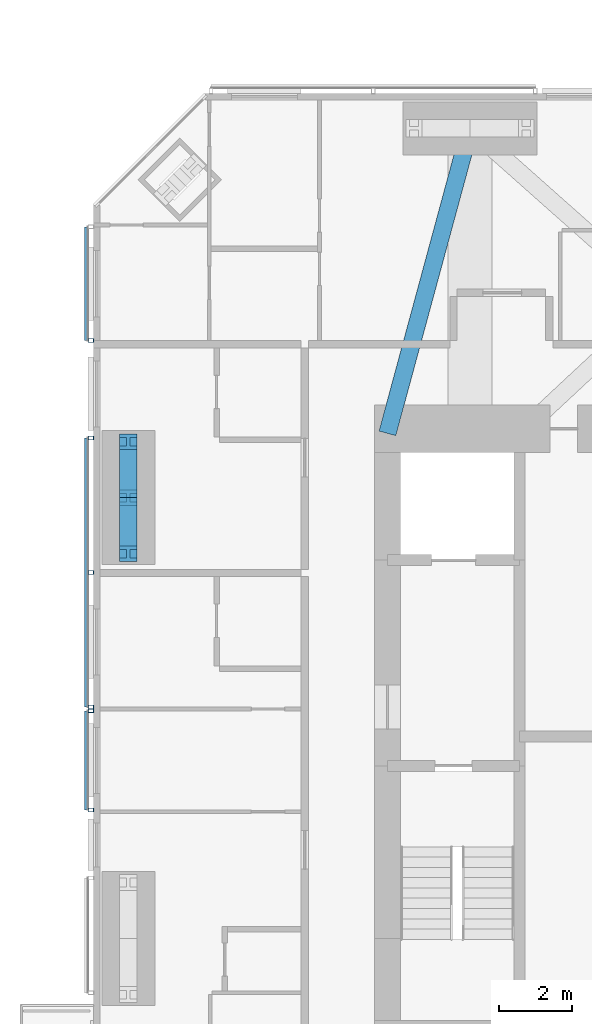
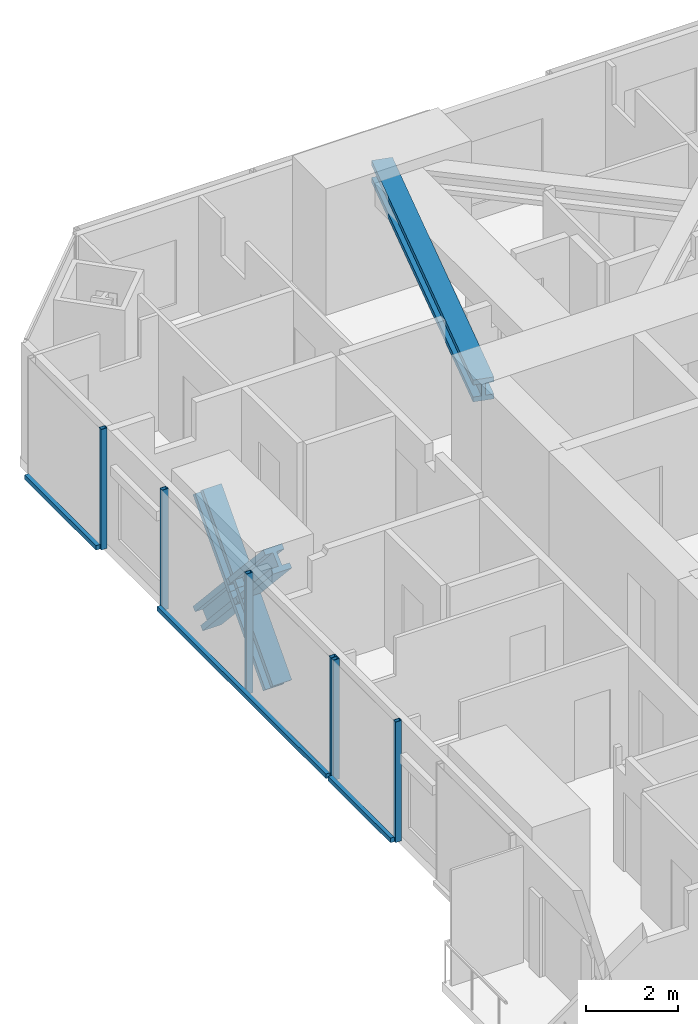
# One storey, part 7 of 22: 14 members, 3 elements without a shape of their own.
"""IFC4 building model written with IfcOpenShell, lengths in metres."""

import ifcopenshell
import ifcopenshell.guid

model = None  # the IFC model being written
_history = None  # IfcOwnerHistory: only IFC2X3 demands one
_inside = {}  # id of a spatial element -> (the spatial element, [elements in it])
_under = {}  # id of a project, library or spatial element -> (it, [spatial elements below it])
_declared = {}  # id of a project -> (the project, [libraries it declares])
_typed = {}  # id of a type object -> (the type object, [elements of that type])
_made_of = {}  # id of a material, layer set ... -> (it, [elements and type objects made of it])


def new_model(schema):
    """Start an empty IFC model of exactly this schema.

    Asked for "IFC4X3", IfcOpenShell would pick the latest addendum, in which some entities
    have other attributes; the version numbers below select the first issue.
    IFC2X3 requires an IfcOwnerHistory on every rooted entity: one is made here for all.
    """
    global model, _history
    if schema == "IFC4X3":
        model = ifcopenshell.file(schema_version=(4, 3, 0, 0))
    else:
        model = ifcopenshell.file(schema=schema)
    _inside.clear()
    _under.clear()
    _declared.clear()
    _typed.clear()
    _made_of.clear()
    _history = None
    if model.schema == "IFC2X3":
        org = make("IfcOrganization", Name="unknown")
        user = make(
            "IfcPersonAndOrganization",
            ThePerson=make("IfcPerson", FamilyName="unknown"),
            TheOrganization=org,
        )
        app = make(
            "IfcApplication",
            ApplicationDeveloper=org,
            Version="unknown",
            ApplicationFullName="unknown",
            ApplicationIdentifier="unknown",
        )
        _history = make(
            "IfcOwnerHistory",
            OwningUser=user,
            OwningApplication=app,
            ChangeAction="ADDED",
            CreationDate=0,
        )
    return model


def make(cls, **values):
    """One entity of the class cls with the attributes given. An attribute that is None is left unset."""
    return model.create_entity(
        cls, **{name: value for name, value in values.items() if value is not None}
    )


def rooted(cls, **values):
    """An entity with a GlobalId (a new one), such as an element, a storey or a relation."""
    return make(cls, GlobalId=ifcopenshell.guid.new(), OwnerHistory=_history, **values)


def si_unit(unit_type, name, prefix=None):
    """IfcSIUnit, for example si_unit("LENGTHUNIT", "METRE", prefix="MILLI")."""
    return make("IfcSIUnit", UnitType=unit_type, Prefix=prefix, Name=name)


def assignment(units):
    """IfcUnitAssignment: the units of a project."""
    return None if units is None else make("IfcUnitAssignment", Units=units)


def point(xyz):
    """IfcCartesianPoint."""
    return None if xyz is None else make("IfcCartesianPoint", Coordinates=xyz)


def direction(xyz):
    """IfcDirection."""
    return None if xyz is None else make("IfcDirection", DirectionRatios=xyz)


def frame(location, z_axis=None, x_axis=None):
    """IfcAxis2Placement3D, a coordinate frame: its origin and axes. An axis left out is left unset."""
    return make(
        "IfcAxis2Placement3D",
        Location=point(location),
        Axis=direction(z_axis),
        RefDirection=direction(x_axis),
    )


def frame_2d(location, x_axis=None):
    """IfcAxis2Placement2D, a coordinate frame in the plane: its origin and x axis."""
    return make(
        "IfcAxis2Placement2D", Location=point(location), RefDirection=direction(x_axis)
    )


def origin():
    """The frame at (0, 0, 0) with its axes left unset."""
    return frame((0.0, 0.0, 0.0))


def origin_2d():
    """The frame at (0, 0) in the plane with its x axis left unset."""
    return frame_2d((0.0, 0.0))


def place(relative_to, where):
    """IfcLocalPlacement: puts the frame where relative to a parent placement (None: the world)."""
    return make(
        "IfcLocalPlacement", PlacementRelTo=relative_to, RelativePlacement=where
    )


def context(
    kind, dimensions, precision=None, world=None, true_north=None, identifier=None
):
    """IfcGeometricRepresentationContext, for example the 3D "Model" context."""
    return make(
        "IfcGeometricRepresentationContext",
        ContextIdentifier=identifier,
        ContextType=kind,
        CoordinateSpaceDimension=dimensions,
        Precision=precision,
        WorldCoordinateSystem=world,
        TrueNorth=true_north,
    )


def subcontext(parent, identifier, kind, view, scale=None):
    """IfcGeometricRepresentationSubContext, for example "Body" below "Model"."""
    return make(
        "IfcGeometricRepresentationSubContext",
        ContextIdentifier=identifier,
        ContextType=kind,
        ParentContext=parent,
        TargetScale=scale,
        TargetView=view,
    )


def project(units=None, contexts=None):
    """IfcProject with its units and contexts."""
    return rooted(
        "IfcProject",
        Name="project",
        RepresentationContexts=contexts,
        UnitsInContext=assignment(units),
    )


def spatial(cls, under=None, at=None, **own):
    """A site, building, storey or space (cls), placed at a placement, below another one or the project."""
    s = rooted(cls, ObjectPlacement=at, **own)
    if under is not None:
        _under.setdefault(under.id(), (under, []))[1].append(s)
    return s


def profile(cls, at=None, kind="AREA", **sizes):
    """A parametric profile (cls). Its sizes go by their IFC names, for example OverallWidth=200.0."""
    return make(cls, ProfileType=kind, Position=at, **sizes)


def rectangle(**sizes):
    """IfcRectangleProfileDef."""
    return profile("IfcRectangleProfileDef", **sizes)


def hollow_rectangle(**sizes):
    """IfcRectangleHollowProfileDef."""
    return profile("IfcRectangleHollowProfileDef", **sizes)


def i_section(**sizes):
    """IfcIShapeProfileDef."""
    return profile("IfcIShapeProfileDef", **sizes)


def extrude(swept, where, along, depth):
    """IfcExtrudedAreaSolid: the profile swept, set in the frame where, extruded along a direction by depth."""
    return make(
        "IfcExtrudedAreaSolid",
        SweptArea=swept,
        Position=where,
        ExtrudedDirection=direction(along),
        Depth=depth,
    )


def shape(context_of_items, identifier, shape_type, items):
    """IfcShapeRepresentation: the items that make up one representation, for example the "Body"."""
    return make(
        "IfcShapeRepresentation",
        ContextOfItems=context_of_items,
        RepresentationIdentifier=identifier,
        RepresentationType=shape_type,
        Items=items,
    )


def material(Name=None, Category=None):
    """IfcMaterial."""
    return make("IfcMaterial", Name=Name, Category=Category)


def material_profile(
    of_material, cross_section, Name=None, Category=None, Priority=None
):
    """IfcMaterialProfile: a cross section and its material."""
    return make(
        "IfcMaterialProfile",
        Name=Name,
        Material=of_material,
        Profile=cross_section,
        Priority=Priority,
        Category=Category,
    )


def profile_set(profiles, Name=None, composite=None):
    """IfcMaterialProfileSet."""
    return make(
        "IfcMaterialProfileSet",
        Name=Name,
        MaterialProfiles=profiles,
        CompositeProfile=composite,
    )


def made_of(thing, what):
    """Note that an element or type object is made of a material, layer set ...; save() writes the relation."""
    if what is not None:
        _made_of.setdefault(what.id(), (what, []))[1].append(thing)
    return thing


def type_object(cls, material=None, **own):
    """A type object (cls), such as IfcWallType, which elements share."""
    return made_of(rooted(cls, **own), material)


def element(
    cls,
    number,
    at=None,
    inside=None,
    cuts=None,
    type_object=None,
    material=None,
    context=None,
    identifier="Body",
    shape_type=None,
    held_by="IfcProductDefinitionShape",
    body=None,
    shapes=None,
    **own,
):
    """One element of the class cls, such as IfcWall. Its Tag is "e" and its number.

    at: its placement. inside: the storey or other place that contains it. cuts: it is an
    opening in that element (IfcRelVoidsElement). A single representation is given by context,
    identifier, shape_type and body (its items); several are given by shapes. held_by: the class
    of the entity that holds the representations. save() writes the other relations.
    """
    e = rooted(cls, Tag="e%d" % number, ObjectPlacement=at, **own)
    if body is not None:
        shapes = [shape(context, identifier, shape_type, body)]
    if shapes is not None:
        e.Representation = make(held_by, Representations=shapes)
    if inside is not None:
        _inside.setdefault(inside.id(), (inside, []))[1].append(e)
    if cuts is not None:
        rooted(
            "IfcRelVoidsElement", RelatingBuildingElement=cuts, RelatedOpeningElement=e
        )
    if type_object is not None:
        _typed.setdefault(type_object.id(), (type_object, []))[1].append(e)
    return made_of(e, material)


def aggregate(whole, parts):
    """IfcRelAggregates: a whole, such as a stair, and the parts it consists of."""
    return rooted("IfcRelAggregates", RelatingObject=whole, RelatedObjects=parts)


def save(model, path):
    """Write the relations noted so far, then the file.

    IfcRelAggregates (storeys below a building ...), IfcRelContainedInSpatialStructure (elements
    in a storey), IfcRelDefinesByType, IfcRelAssociatesMaterial and IfcRelDeclares: one each for
    every whole, place, type object, material and project.
    """
    for whole, parts in _under.values():
        aggregate(whole, parts)
    for where, things in _inside.values():
        rooted(
            "IfcRelContainedInSpatialStructure",
            RelatedElements=things,
            RelatingStructure=where,
        )
    for kind, things in _typed.values():
        rooted("IfcRelDefinesByType", RelatedObjects=things, RelatingType=kind)
    for what, things in _made_of.values():
        rooted("IfcRelAssociatesMaterial", RelatedObjects=things, RelatingMaterial=what)
    for by, libraries in _declared.values():
        rooted("IfcRelDeclares", RelatingContext=by, RelatedDefinitions=libraries)
    model.write(path)


model = new_model("IFC4")

# Units and contexts
model_context = context("Model", 3, precision=1e-05, world=origin(), true_north=direction((0.0, 1.0)))
body_context = subcontext(model_context, "Body", "Model", "MODEL_VIEW")
ifc_project = project(units=[si_unit("LENGTHUNIT", "METRE"), si_unit("AREAUNIT", "SQUARE_METRE"), si_unit("VOLUMEUNIT", "CUBIC_METRE"), si_unit("PLANEANGLEUNIT", "RADIAN"), si_unit("MASSUNIT", "GRAM", prefix="KILO")], contexts=[model_context])

# Site, building, storey
site_placement = place(None, origin())
site = spatial("IfcSite", under=ifc_project, at=site_placement, CompositionType="ELEMENT")
building_placement = place(site_placement, origin())
building = spatial("IfcBuilding", under=site, at=building_placement, Name="Jalousie Tower", CompositionType="ELEMENT")
storey_placement = place(building_placement, frame((0.0, 0.0, 204.60009765625)))
storey = spatial("IfcBuildingStorey", under=building, at=storey_placement, Name="L56", CompositionType="ELEMENT", Elevation=204.60009765625)

# Members
ifc_material_1 = material(Name="Steel ASTM A992 Grade 50", Category="steel")
ifc_material_profile_1 = material_profile(ifc_material_1, i_section(OverallWidth=0.472412109375, OverallDepth=0.5791015625, WebThickness=0.094970703125, FlangeThickness=0.1298828125, at=origin_2d()), Name="W14X808")
ifc_profile_set_1 = profile_set([ifc_material_profile_1], Name="Steel ASTM A992 Grade 50")
member_type_1 = type_object("IfcMemberType", Name="KINK FLOOR TRUSS DIAGONAL W14X808", PredefinedType="BRACE", material=ifc_profile_set_1)
member_1_placement = place(storey_placement, frame((22.25, 35.050048828125, 2.7802734375), z_axis=(-0.261639739492, -0.965165605851, 0.0), x_axis=(0.965165605851, -0.261639739492, 0.0)))
element("IfcMember", 1, at=member_1_placement, inside=storey, type_object=member_type_1, Name="Kink floor truss L57 11 diagonal", PredefinedType="BRACE", context=body_context, shape_type="SweptSolid", body=[
    extrude(i_section(OverallWidth=0.472412109375, OverallDepth=0.5791015625, WebThickness=0.094970703125, FlangeThickness=0.1298828125, at=origin_2d()), origin(), (0.0, 0.0, 1.0), 8.599609375),
])
ifc_material_2 = material(Name="Steel ASTM A992 Grade 50", Category="steel")
ifc_material_profile_2 = material_profile(ifc_material_2, i_section(OverallWidth=0.472412109375, OverallDepth=0.5791015625, WebThickness=0.094970703125, FlangeThickness=0.1298828125, at=origin_2d()), Name="W14X808")
ifc_profile_set_2 = profile_set([ifc_material_profile_2], Name="Steel ASTM A992 Grade 50")
member_type_2 = type_object("IfcMemberType", Name="PERIMETER BRACE W14X808", PredefinedType="BRACE", material=ifc_profile_set_2)
for number, where, z_axis, x_axis, name in (
    (2, (12.949951171875, 23.47509765625, -0.60009765625), (0.0, 0.673187629365, 0.739471713908), (-1.0, 0.0, 0.0), "Perimeter brace 13 L56 part 1"),
    (3, (12.949951171875, 25.0, 1.074951171875), (0.0, 0.673187629365, 0.739471713908), (-1.0, 0.0, 0.0), "Perimeter brace 13 L56 part 2"),
    (4, (12.949951171875, 26.52490234375, -0.60009765625), (0.0, -0.673187629365, 0.739471713908), (1.0, 0.0, 0.0), "Perimeter brace 13 L56 part 3"),
    (5, (12.949951171875, 25.0, 1.074951171875), (0.0, -0.673187629365, 0.739471713908), (1.0, 0.0, 0.0), "Perimeter brace 13 L56 part 4"),
):
    element("IfcMember", number, at=place(storey_placement, frame(where, z_axis=z_axis, x_axis=x_axis)), inside=storey, type_object=member_type_2, Name=name, PredefinedType="BRACE", context=body_context, shape_type="SweptSolid", body=[
        extrude(i_section(OverallWidth=0.472412109375, OverallDepth=0.5791015625, WebThickness=0.094970703125, FlangeThickness=0.1298828125, at=origin_2d()), origin(), (0.0, 0.0, 1.0), 2.26513671875),
    ])

# Curtain wall, member
ifc_material_3 = material(Name="Perforated aluminium sheet", Category="aluminium")
curtain_wall_type = type_object("IfcCurtainWallType", Name="SOLAR SCREEN SS-1", PredefinedType="USERDEFINED", material=ifc_material_3)
curtain_wall_1_placement = place(storey_placement, origin())
curtain_wall_1 = element("IfcCurtainWall", 6, at=curtain_wall_1_placement, inside=storey, type_object=curtain_wall_type, Name="Solar screen L56", ObjectType="SOLAR SCREEN SS-1", PredefinedType="USERDEFINED")
ifc_material_4 = material(Name="Steel ASTM A500 Grade C", Category="steel")
ifc_material_profile_3 = material_profile(ifc_material_4, hollow_rectangle(XDim=0.1015625, YDim=0.15234375, WallThickness=0.00634765625, at=origin_2d()), Name="HSS6X4X1/4")
ifc_profile_set_3 = profile_set([ifc_material_profile_3], Name="Steel ASTM A500 Grade C")
member_type_3 = type_object("IfcMemberType", Name="SOLAR SCREEN SS-1 MULLION", PredefinedType="MULLION", material=ifc_profile_set_3)
member_2_placement = place(storey_placement, frame((11.9287109375, 29.27490234375, -0.1201171875), z_axis=(0.0, 0.0, 1.0), x_axis=(0.0, -1.0, 0.0)))
member_2 = element("IfcMember", 7, at=member_2_placement, type_object=member_type_3, Name="SS1 post 2", PredefinedType="MULLION", context=body_context, shape_type="SweptSolid", body=[
    extrude(hollow_rectangle(XDim=0.1015625, YDim=0.15234375, WallThickness=0.00634765625, at=origin_2d()), origin(), (0.0, 0.0, 1.0), 3.18994140625),
])

# Curtain wall, members
curtain_wall_2_placement = place(storey_placement, origin())
curtain_wall_2 = element("IfcCurtainWall", 8, at=curtain_wall_2_placement, inside=storey, type_object=curtain_wall_type, Name="Solar screen L56", ObjectType="SOLAR SCREEN SS-1", PredefinedType="USERDEFINED")
member_3_placement = place(storey_placement, frame((11.9287109375, 26.625, -0.1201171875), z_axis=(0.0, 0.0, 1.0), x_axis=(0.0, -1.0, 0.0)))
member_3 = element("IfcMember", 9, at=member_3_placement, type_object=member_type_3, Name="SS1 post 1", PredefinedType="MULLION", context=body_context, shape_type="SweptSolid", body=[
    extrude(hollow_rectangle(XDim=0.1015625, YDim=0.15234375, WallThickness=0.00634765625, at=origin_2d()), origin(), (0.0, 0.0, 1.0), 3.18994140625),
])
member_4_placement = place(storey_placement, frame((11.9287109375, 22.96240234375, -0.1201171875), z_axis=(0.0, 0.0, 1.0), x_axis=(0.0, -1.0, 0.0)))
member_4 = element("IfcMember", 10, at=member_4_placement, type_object=member_type_3, Name="SS1 post 2", PredefinedType="MULLION", context=body_context, shape_type="SweptSolid", body=[
    extrude(hollow_rectangle(XDim=0.1015625, YDim=0.15234375, WallThickness=0.00634765625, at=origin_2d()), origin(), (0.0, 0.0, 1.0), 3.18994140625),
])
member_5_placement = place(storey_placement, frame((11.9287109375, 19.300048828125, -0.1201171875), z_axis=(0.0, 0.0, 1.0), x_axis=(0.0, -1.0, 0.0)))
member_5 = element("IfcMember", 11, at=member_5_placement, type_object=member_type_3, Name="SS1 post 3", PredefinedType="MULLION", context=body_context, shape_type="SweptSolid", body=[
    extrude(hollow_rectangle(XDim=0.1015625, YDim=0.15234375, WallThickness=0.00634765625, at=origin_2d()), origin(), (0.0, 0.0, 1.0), 3.18994140625),
])

curtain_wall_3_placement = place(storey_placement, origin())
curtain_wall_3 = element("IfcCurtainWall", 12, at=curtain_wall_3_placement, inside=storey, type_object=curtain_wall_type, Name="Solar screen L56", ObjectType="SOLAR SCREEN SS-1", PredefinedType="USERDEFINED")
member_6_placement = place(storey_placement, frame((11.9287109375, 19.199951171875, -0.1201171875), z_axis=(0.0, 0.0, 1.0), x_axis=(0.0, -1.0, 0.0)))
member_6 = element("IfcMember", 13, at=member_6_placement, type_object=member_type_3, Name="SS1 post 1", PredefinedType="MULLION", context=body_context, shape_type="SweptSolid", body=[
    extrude(hollow_rectangle(XDim=0.1015625, YDim=0.15234375, WallThickness=0.00634765625, at=origin_2d()), origin(), (0.0, 0.0, 1.0), 3.18994140625),
])
member_7_placement = place(storey_placement, frame((11.9287109375, 16.5, -0.1201171875), z_axis=(0.0, 0.0, 1.0), x_axis=(0.0, -1.0, 0.0)))
member_7 = element("IfcMember", 14, at=member_7_placement, type_object=member_type_3, Name="SS1 post 2", PredefinedType="MULLION", context=body_context, shape_type="SweptSolid", body=[
    extrude(hollow_rectangle(XDim=0.1015625, YDim=0.15234375, WallThickness=0.00634765625, at=origin_2d()), origin(), (0.0, 0.0, 1.0), 3.18994140625),
])

# Member
ifc_material_5 = material(Name="Extruded aluminium screen rail", Category="aluminium")
ifc_material_profile_4 = material_profile(ifc_material_5, rectangle(XDim=0.1015625, YDim=0.1201171875, at=origin_2d()), Name="RAIL 102x120")
ifc_profile_set_4 = profile_set([ifc_material_profile_4], Name="Extruded aluminium screen rail")
member_type_4 = type_object("IfcMemberType", Name="SOLAR SCREEN SS-1 TRANSOM", PredefinedType="USERDEFINED", material=ifc_profile_set_4)
member_8_placement = place(storey_placement, frame((11.8017578125, 32.3701171875, -0.06005859375), z_axis=(0.0, -1.0, 0.0), x_axis=(1.0, 0.0, 0.0)))
member_8 = element("IfcMember", 15, at=member_8_placement, type_object=member_type_4, Name="SS1 rail", ObjectType="TRANSOM", PredefinedType="USERDEFINED", context=body_context, shape_type="SweptSolid", body=[
    extrude(rectangle(XDim=0.1015625, YDim=0.1201171875, at=origin_2d()), origin(), (0.0, 0.0, 1.0), 3.09521484375),
])

aggregate(curtain_wall_1, [member_2, member_8])

member_9_placement = place(storey_placement, frame((11.8017578125, 26.625, -0.06005859375), z_axis=(0.0, -1.0, 0.0), x_axis=(1.0, 0.0, 0.0)))
member_9 = element("IfcMember", 16, at=member_9_placement, type_object=member_type_4, Name="SS1 rail", ObjectType="TRANSOM", PredefinedType="USERDEFINED", context=body_context, shape_type="SweptSolid", body=[
    extrude(rectangle(XDim=0.1015625, YDim=0.1201171875, at=origin_2d()), origin(), (0.0, 0.0, 1.0), 7.324951171875),
])

aggregate(curtain_wall_2, [member_3, member_4, member_5, member_9])

member_10_placement = place(storey_placement, frame((11.8017578125, 19.199951171875, -0.06005859375), z_axis=(0.0, -1.0, 0.0), x_axis=(1.0, 0.0, 0.0)))
member_10 = element("IfcMember", 17, at=member_10_placement, type_object=member_type_4, Name="SS1 rail", ObjectType="TRANSOM", PredefinedType="USERDEFINED", context=body_context, shape_type="SweptSolid", body=[
    extrude(rectangle(XDim=0.1015625, YDim=0.1201171875, at=origin_2d()), origin(), (0.0, 0.0, 1.0), 2.699951171875),
])

aggregate(curtain_wall_3, [member_6, member_7, member_10])

save(model, "model.ifc")
